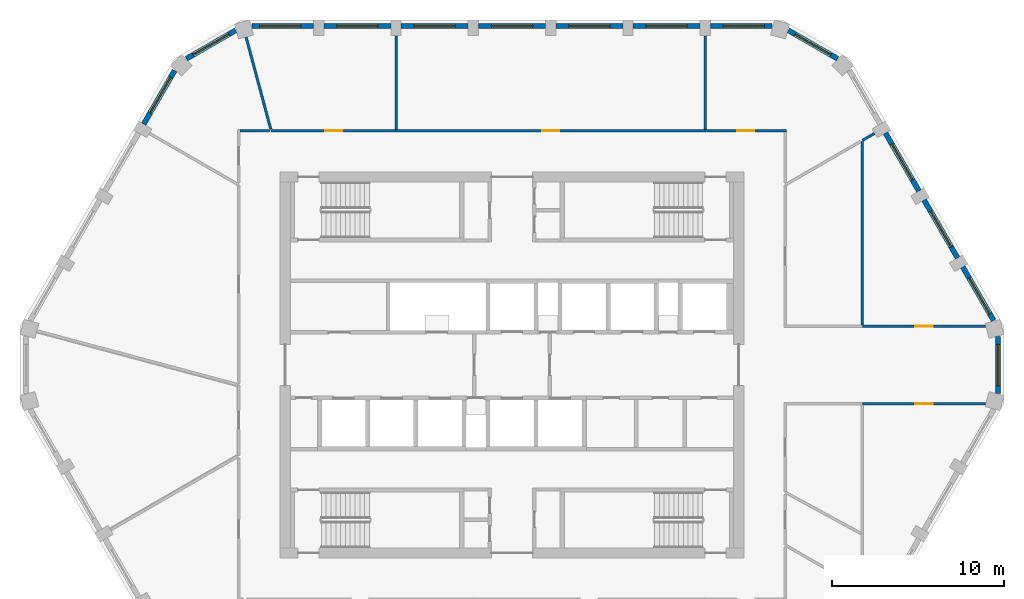
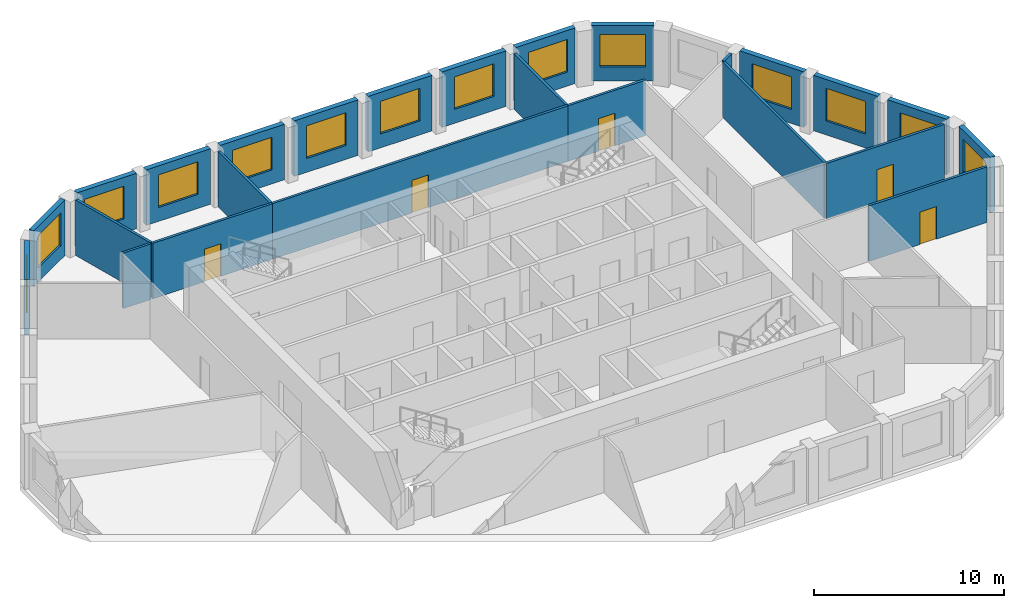
# One storey, part 6 of 9: 25 walls, 14 windows, 5 doors, 19 openings.
"""IFC4 building model written with IfcOpenShell, lengths in metres."""

from ifc_helpers import new_model, si_unit, direction, frame, frame_2d, origin, place, context, subcontext, project, spatial, rectangle, extrude, material, layer, layer_set, type_object, element, fill, save


model = new_model("IFC4")

# Units and contexts
model_context = context("Model", 3, precision=1e-05, world=origin(), true_north=direction((0.0, 1.0)))
body_context = subcontext(model_context, "Body", "Model", "MODEL_VIEW")
ifc_project = project(units=[si_unit("LENGTHUNIT", "METRE"), si_unit("AREAUNIT", "SQUARE_METRE"), si_unit("VOLUMEUNIT", "CUBIC_METRE"), si_unit("PLANEANGLEUNIT", "RADIAN"), si_unit("MASSUNIT", "GRAM", prefix="KILO")], contexts=[model_context])

# Site, building, storey
site_placement = place(None, origin())
site = spatial("IfcSite", under=ifc_project, at=site_placement, CompositionType="ELEMENT")
building_placement = place(site_placement, origin())
building = spatial("IfcBuilding", under=site, at=building_placement, Name="Dhurran Vertical Campus", CompositionType="ELEMENT")
storey_placement = place(building_placement, frame((0.0, 0.0, 294.300048828125)))
storey = spatial("IfcBuildingStorey", under=building, at=storey_placement, Name="L73", CompositionType="ELEMENT", Elevation=294.300048828125)

# Wall, opening, window
ifc_material_1 = material(Name="Precast concrete C50/60", Category="concrete")
ifc_layer_1 = layer(ifc_material_1, 0.300048828125)
ifc_layer_set_1 = layer_set([ifc_layer_1], Name="Precast concrete C50/60")
wall_type_1 = type_object("IfcWallType", Name="Precast spandrel wall 300", PredefinedType="SOLIDWALL", material=ifc_layer_set_1)
wall_1_placement = place(storey_placement, frame((28.297119140625, -1.64990234375, 0.0), z_axis=(0.0, 0.0, 1.0), x_axis=(0.0, 1.0, 0.0)))
wall_1 = element("IfcWall", 1, at=wall_1_placement, inside=storey, type_object=wall_type_1, Name="EW1 L73.12", PredefinedType="SOLIDWALL", context=body_context, shape_type="SweptSolid", body=[
    extrude(rectangle(XDim=3.2998046875, YDim=0.300048828125, at=frame_2d((1.64990234375, 0.0))), origin(), (0.0, 0.0, 1.0), 3.574951171875),
])
opening_1_placement = place(wall_1_placement, frame((0.449951171875, 0.0, 0.89990234375)))
opening_1 = element("IfcOpeningElement", 2, at=opening_1_placement, cuts=wall_1, Name="Opening WT1", PredefinedType="OPENING", context=body_context, shape_type="SweptSolid", body=[
    extrude(rectangle(XDim=2.39990234375, YDim=2.10009765625, at=frame_2d((1.199951171875, 1.050048828125))), frame((0.0, 0.159912109375, 0.0), z_axis=(0.0, -1.0, 0.0), x_axis=(1.0, 0.0, 0.0)), (0.0, 0.0, 1.0), 0.320068359375),
])
ifc_material_2 = material(Name="Aluminium frame with solar-control glass", Category="aluminium")
window_type = type_object("IfcWindowType", Name="Punched window 2400 x 2100", PartitioningType="SINGLE_PANEL", PredefinedType="WINDOW", material=ifc_material_2)
window_1_placement = place(opening_1_placement, origin())
window_1 = element("IfcWindow", 3, at=window_1_placement, inside=storey, type_object=window_type, Name="WT1 L73.12", OverallHeight=2.10009765625, OverallWidth=2.39990234375, PartitioningType="SINGLE_PANEL", PredefinedType="WINDOW", context=body_context, shape_type="SweptSolid", body=[
    extrude(rectangle(XDim=2.39990234375, YDim=2.10009765625, at=frame_2d((1.199951171875, 1.050048828125))), frame((0.0, 0.030029296875, 0.0), z_axis=(0.0, -1.0, 0.0), x_axis=(1.0, 0.0, 0.0)), (0.0, 0.0, 1.0), 0.06005859375),
])
fill(opening_1, window_1)

wall_2_placement = place(storey_placement, frame((28.0439453125, 2.5947265625, 0.0), z_axis=(0.0, 0.0, 1.0), x_axis=(-0.499969057507, 0.866043267704, 0.0)))
wall_2 = element("IfcWall", 4, at=wall_2_placement, inside=storey, type_object=wall_type_1, Name="EW1 L73.13", PredefinedType="SOLIDWALL", context=body_context, shape_type="SweptSolid", body=[
    extrude(rectangle(XDim=3.599365234375, YDim=0.300048828125, at=frame_2d((1.7998046875, 0.0))), origin(), (0.0, 0.0, 1.0), 3.574951171875),
])
opening_2_placement = place(wall_2_placement, frame((0.449951171875, 0.0, 0.89990234375)))
opening_2 = element("IfcOpeningElement", 5, at=opening_2_placement, cuts=wall_2, Name="Opening WT1", PredefinedType="OPENING", context=body_context, shape_type="SweptSolid", body=[
    extrude(rectangle(XDim=2.39990234375, YDim=2.10009765625, at=frame_2d((1.199951171875, 1.050048828125))), frame((0.0, 0.159912109375, 0.0), z_axis=(0.0, -1.0, 0.0), x_axis=(1.0, 0.0, 0.0)), (0.0, 0.0, 1.0), 0.320068359375),
])
window_2_placement = place(opening_2_placement, origin())
window_2 = element("IfcWindow", 6, at=window_2_placement, inside=storey, type_object=window_type, Name="WT1 L73.13", OverallHeight=2.10009765625, OverallWidth=2.39990234375, PartitioningType="SINGLE_PANEL", PredefinedType="WINDOW", context=body_context, shape_type="SweptSolid", body=[
    extrude(rectangle(XDim=2.39990234375, YDim=2.10009765625, at=frame_2d((1.199951171875, 1.050048828125))), frame((0.0, 0.030029296875, 0.0), z_axis=(0.0, -1.0, 0.0), x_axis=(1.0, 0.0, 0.0)), (0.0, 0.0, 1.0), 0.06005859375),
])
fill(opening_2, window_2)

wall_3_placement = place(storey_placement, frame((25.94384765625, 6.232421875, 0.0), z_axis=(0.0, 0.0, 1.0), x_axis=(-0.500011542666, 0.866018739521, 0.0)))
wall_3 = element("IfcWall", 7, at=wall_3_placement, inside=storey, type_object=wall_type_1, Name="EW1 L73.14", PredefinedType="SOLIDWALL", context=body_context, shape_type="SweptSolid", body=[
    extrude(rectangle(XDim=3.89892578125, YDim=0.300048828125, at=frame_2d((1.949462890625, 0.0))), origin(), (0.0, 0.0, 1.0), 3.574951171875),
])
opening_3_placement = place(wall_3_placement, frame((0.74951171875, 0.0, 0.89990234375)))
opening_3 = element("IfcOpeningElement", 8, at=opening_3_placement, cuts=wall_3, Name="Opening WT1", PredefinedType="OPENING", context=body_context, shape_type="SweptSolid", body=[
    extrude(rectangle(XDim=2.39990234375, YDim=2.10009765625, at=frame_2d((1.199951171875, 1.050048828125))), frame((0.0, 0.159912109375, 0.0), z_axis=(0.0, -1.0, 0.0), x_axis=(1.0, 0.0, 0.0)), (0.0, 0.0, 1.0), 0.320068359375),
])
window_3_placement = place(opening_3_placement, origin())
window_3 = element("IfcWindow", 9, at=window_3_placement, inside=storey, type_object=window_type, Name="WT1 L73.14", OverallHeight=2.10009765625, OverallWidth=2.39990234375, PartitioningType="SINGLE_PANEL", PredefinedType="WINDOW", context=body_context, shape_type="SweptSolid", body=[
    extrude(rectangle(XDim=2.39990234375, YDim=2.10009765625, at=frame_2d((1.199951171875, 1.050048828125))), frame((0.0, 0.030029296875, 0.0), z_axis=(0.0, -1.0, 0.0), x_axis=(1.0, 0.0, 0.0)), (0.0, 0.0, 1.0), 0.06005859375),
])
fill(opening_3, window_3)

wall_4_placement = place(storey_placement, frame((23.69384765625, 10.12939453125, 0.0), z_axis=(0.0, 0.0, 1.0), x_axis=(-0.499984428715, 0.866034393683, 0.0)))
wall_4 = element("IfcWall", 10, at=wall_4_placement, inside=storey, type_object=wall_type_1, Name="EW1 L73.15", PredefinedType="SOLIDWALL", context=body_context, shape_type="SweptSolid", body=[
    extrude(rectangle(XDim=3.89892578125, YDim=0.300048828125, at=frame_2d((1.949462890625, 0.0))), origin(), (0.0, 0.0, 1.0), 3.574951171875),
])
opening_4_placement = place(wall_4_placement, frame((0.74951171875, 0.0, 0.89990234375)))
opening_4 = element("IfcOpeningElement", 11, at=opening_4_placement, cuts=wall_4, Name="Opening WT1", PredefinedType="OPENING", context=body_context, shape_type="SweptSolid", body=[
    extrude(rectangle(XDim=2.39990234375, YDim=2.10009765625, at=frame_2d((1.199951171875, 1.050048828125))), frame((0.0, 0.159912109375, 0.0), z_axis=(0.0, -1.0, 0.0), x_axis=(1.0, 0.0, 0.0)), (0.0, 0.0, 1.0), 0.320068359375),
])
window_4_placement = place(opening_4_placement, origin())
window_4 = element("IfcWindow", 12, at=window_4_placement, inside=storey, type_object=window_type, Name="WT1 L73.15", OverallHeight=2.10009765625, OverallWidth=2.39990234375, PartitioningType="SINGLE_PANEL", PredefinedType="WINDOW", context=body_context, shape_type="SweptSolid", body=[
    extrude(rectangle(XDim=2.39990234375, YDim=2.10009765625, at=frame_2d((1.199951171875, 1.050048828125))), frame((0.0, 0.030029296875, 0.0), z_axis=(0.0, -1.0, 0.0), x_axis=(1.0, 0.0, 0.0)), (0.0, 0.0, 1.0), 0.06005859375),
])
fill(opening_4, window_4)

wall_5_placement = place(storey_placement, frame((18.952392578125, 17.83544921875, 0.0), z_axis=(0.0, 0.0, 1.0), x_axis=(-0.866021716278, 0.500006386895, 0.0)))
wall_5 = element("IfcWall", 13, at=wall_5_placement, inside=storey, type_object=wall_type_1, Name="EW1 L73.17", PredefinedType="SOLIDWALL", context=body_context, shape_type="SweptSolid", body=[
    extrude(rectangle(XDim=3.2998046875, YDim=0.300048828125, at=frame_2d((1.64990234375, 0.0))), origin(), (0.0, 0.0, 1.0), 3.574951171875),
])
opening_5_placement = place(wall_5_placement, frame((0.449951171875, 0.0, 0.89990234375)))
opening_5 = element("IfcOpeningElement", 14, at=opening_5_placement, cuts=wall_5, Name="Opening WT1", PredefinedType="OPENING", context=body_context, shape_type="SweptSolid", body=[
    extrude(rectangle(XDim=2.39990234375, YDim=2.10009765625, at=frame_2d((1.199951171875, 1.050048828125))), frame((0.0, 0.159912109375, 0.0), z_axis=(0.0, -1.0, 0.0), x_axis=(1.0, 0.0, 0.0)), (0.0, 0.0, 1.0), 0.320068359375),
])
window_5_placement = place(opening_5_placement, origin())
window_5 = element("IfcWindow", 15, at=window_5_placement, inside=storey, type_object=window_type, Name="WT1 L73.17", OverallHeight=2.10009765625, OverallWidth=2.39990234375, PartitioningType="SINGLE_PANEL", PredefinedType="WINDOW", context=body_context, shape_type="SweptSolid", body=[
    extrude(rectangle(XDim=2.39990234375, YDim=2.10009765625, at=frame_2d((1.199951171875, 1.050048828125))), frame((0.0, 0.030029296875, 0.0), z_axis=(0.0, -1.0, 0.0), x_axis=(1.0, 0.0, 0.0)), (0.0, 0.0, 1.0), 0.06005859375),
])
fill(opening_5, window_5)

wall_6_placement = place(storey_placement, frame((15.14990234375, 19.738525390625, 0.0), z_axis=(0.0, 0.0, 1.0), x_axis=(-1.0, 0.0, 0.0)))
wall_6 = element("IfcWall", 16, at=wall_6_placement, inside=storey, type_object=wall_type_1, Name="EW1 L73.18", PredefinedType="SOLIDWALL", context=body_context, shape_type="SweptSolid", body=[
    extrude(rectangle(XDim=3.599365234375, YDim=0.300048828125, at=frame_2d((1.7998046875, 0.0))), origin(), (0.0, 0.0, 1.0), 3.574951171875),
])
opening_6_placement = place(wall_6_placement, frame((0.449951171875, 0.0, 0.89990234375)))
opening_6 = element("IfcOpeningElement", 17, at=opening_6_placement, cuts=wall_6, Name="Opening WT1", PredefinedType="OPENING", context=body_context, shape_type="SweptSolid", body=[
    extrude(rectangle(XDim=2.39990234375, YDim=2.10009765625, at=frame_2d((1.199951171875, 1.050048828125))), frame((0.0, 0.159912109375, 0.0), z_axis=(0.0, -1.0, 0.0), x_axis=(1.0, 0.0, 0.0)), (0.0, 0.0, 1.0), 0.320068359375),
])
window_6_placement = place(opening_6_placement, origin())
window_6 = element("IfcWindow", 18, at=window_6_placement, inside=storey, type_object=window_type, Name="WT1 L73.18", OverallHeight=2.10009765625, OverallWidth=2.39990234375, PartitioningType="SINGLE_PANEL", PredefinedType="WINDOW", context=body_context, shape_type="SweptSolid", body=[
    extrude(rectangle(XDim=2.39990234375, YDim=2.10009765625, at=frame_2d((1.199951171875, 1.050048828125))), frame((0.0, 0.030029296875, 0.0), z_axis=(0.0, -1.0, 0.0), x_axis=(1.0, 0.0, 0.0)), (0.0, 0.0, 1.0), 0.06005859375),
])
fill(opening_6, window_6)

wall_7_placement = place(storey_placement, frame((10.949462890625, 19.738525390625, 0.0), z_axis=(0.0, 0.0, 1.0), x_axis=(-1.0, 0.0, 0.0)))
wall_7 = element("IfcWall", 19, at=wall_7_placement, inside=storey, type_object=wall_type_1, Name="EW1 L73.19", PredefinedType="SOLIDWALL", context=body_context, shape_type="SweptSolid", body=[
    extrude(rectangle(XDim=3.89892578125, YDim=0.300048828125, at=frame_2d((1.949462890625, 0.0))), origin(), (0.0, 0.0, 1.0), 3.574951171875),
])
opening_7_placement = place(wall_7_placement, frame((0.74951171875, 0.0, 0.89990234375)))
opening_7 = element("IfcOpeningElement", 20, at=opening_7_placement, cuts=wall_7, Name="Opening WT1", PredefinedType="OPENING", context=body_context, shape_type="SweptSolid", body=[
    extrude(rectangle(XDim=2.39990234375, YDim=2.10009765625, at=frame_2d((1.199951171875, 1.050048828125))), frame((0.0, 0.159912109375, 0.0), z_axis=(0.0, -1.0, 0.0), x_axis=(1.0, 0.0, 0.0)), (0.0, 0.0, 1.0), 0.320068359375),
])
window_7_placement = place(opening_7_placement, origin())
window_7 = element("IfcWindow", 21, at=window_7_placement, inside=storey, type_object=window_type, Name="WT1 L73.19", OverallHeight=2.10009765625, OverallWidth=2.39990234375, PartitioningType="SINGLE_PANEL", PredefinedType="WINDOW", context=body_context, shape_type="SweptSolid", body=[
    extrude(rectangle(XDim=2.39990234375, YDim=2.10009765625, at=frame_2d((1.199951171875, 1.050048828125))), frame((0.0, 0.030029296875, 0.0), z_axis=(0.0, -1.0, 0.0), x_axis=(1.0, 0.0, 0.0)), (0.0, 0.0, 1.0), 0.06005859375),
])
fill(opening_7, window_7)

wall_8_placement = place(storey_placement, frame((6.449462890625, 19.738525390625, 0.0), z_axis=(0.0, 0.0, 1.0), x_axis=(-1.0, 0.0, 0.0)))
wall_8 = element("IfcWall", 22, at=wall_8_placement, inside=storey, type_object=wall_type_1, Name="EW1 L73.20", PredefinedType="SOLIDWALL", context=body_context, shape_type="SweptSolid", body=[
    extrude(rectangle(XDim=3.89892578125, YDim=0.300048828125, at=frame_2d((1.949462890625, 0.0))), origin(), (0.0, 0.0, 1.0), 3.574951171875),
])
opening_8_placement = place(wall_8_placement, frame((0.74951171875, 0.0, 0.89990234375)))
opening_8 = element("IfcOpeningElement", 23, at=opening_8_placement, cuts=wall_8, Name="Opening WT1", PredefinedType="OPENING", context=body_context, shape_type="SweptSolid", body=[
    extrude(rectangle(XDim=2.39990234375, YDim=2.10009765625, at=frame_2d((1.199951171875, 1.050048828125))), frame((0.0, 0.159912109375, 0.0), z_axis=(0.0, -1.0, 0.0), x_axis=(1.0, 0.0, 0.0)), (0.0, 0.0, 1.0), 0.320068359375),
])
window_8_placement = place(opening_8_placement, origin())
window_8 = element("IfcWindow", 24, at=window_8_placement, inside=storey, type_object=window_type, Name="WT1 L73.20", OverallHeight=2.10009765625, OverallWidth=2.39990234375, PartitioningType="SINGLE_PANEL", PredefinedType="WINDOW", context=body_context, shape_type="SweptSolid", body=[
    extrude(rectangle(XDim=2.39990234375, YDim=2.10009765625, at=frame_2d((1.199951171875, 1.050048828125))), frame((0.0, 0.030029296875, 0.0), z_axis=(0.0, -1.0, 0.0), x_axis=(1.0, 0.0, 0.0)), (0.0, 0.0, 1.0), 0.06005859375),
])
fill(opening_8, window_8)

wall_9_placement = place(storey_placement, frame((1.949462890625, 19.738525390625, 0.0), z_axis=(0.0, 0.0, 1.0), x_axis=(-1.0, 0.0, 0.0)))
wall_9 = element("IfcWall", 25, at=wall_9_placement, inside=storey, type_object=wall_type_1, Name="EW1 L73.21", PredefinedType="SOLIDWALL", context=body_context, shape_type="SweptSolid", body=[
    extrude(rectangle(XDim=3.89892578125, YDim=0.300048828125, at=frame_2d((1.949462890625, 0.0))), origin(), (0.0, 0.0, 1.0), 3.574951171875),
])
opening_9_placement = place(wall_9_placement, frame((0.74951171875, 0.0, 0.89990234375)))
opening_9 = element("IfcOpeningElement", 26, at=opening_9_placement, cuts=wall_9, Name="Opening WT1", PredefinedType="OPENING", context=body_context, shape_type="SweptSolid", body=[
    extrude(rectangle(XDim=2.39990234375, YDim=2.10009765625, at=frame_2d((1.199951171875, 1.050048828125))), frame((0.0, 0.159912109375, 0.0), z_axis=(0.0, -1.0, 0.0), x_axis=(1.0, 0.0, 0.0)), (0.0, 0.0, 1.0), 0.320068359375),
])
window_9_placement = place(opening_9_placement, origin())
window_9 = element("IfcWindow", 27, at=window_9_placement, inside=storey, type_object=window_type, Name="WT1 L73.21", OverallHeight=2.10009765625, OverallWidth=2.39990234375, PartitioningType="SINGLE_PANEL", PredefinedType="WINDOW", context=body_context, shape_type="SweptSolid", body=[
    extrude(rectangle(XDim=2.39990234375, YDim=2.10009765625, at=frame_2d((1.199951171875, 1.050048828125))), frame((0.0, 0.030029296875, 0.0), z_axis=(0.0, -1.0, 0.0), x_axis=(1.0, 0.0, 0.0)), (0.0, 0.0, 1.0), 0.06005859375),
])
fill(opening_9, window_9)

wall_10_placement = place(storey_placement, frame((-2.550537109375, 19.738525390625, 0.0), z_axis=(0.0, 0.0, 1.0), x_axis=(-1.0, 0.0, 0.0)))
wall_10 = element("IfcWall", 28, at=wall_10_placement, inside=storey, type_object=wall_type_1, Name="EW1 L73.22", PredefinedType="SOLIDWALL", context=body_context, shape_type="SweptSolid", body=[
    extrude(rectangle(XDim=3.89892578125, YDim=0.300048828125, at=frame_2d((1.949462890625, 0.0))), origin(), (0.0, 0.0, 1.0), 3.574951171875),
])
opening_10_placement = place(wall_10_placement, frame((0.74951171875, 0.0, 0.89990234375)))
opening_10 = element("IfcOpeningElement", 29, at=opening_10_placement, cuts=wall_10, Name="Opening WT1", PredefinedType="OPENING", context=body_context, shape_type="SweptSolid", body=[
    extrude(rectangle(XDim=2.39990234375, YDim=2.10009765625, at=frame_2d((1.199951171875, 1.050048828125))), frame((0.0, 0.159912109375, 0.0), z_axis=(0.0, -1.0, 0.0), x_axis=(1.0, 0.0, 0.0)), (0.0, 0.0, 1.0), 0.320068359375),
])
window_10_placement = place(opening_10_placement, origin())
window_10 = element("IfcWindow", 30, at=window_10_placement, inside=storey, type_object=window_type, Name="WT1 L73.22", OverallHeight=2.10009765625, OverallWidth=2.39990234375, PartitioningType="SINGLE_PANEL", PredefinedType="WINDOW", context=body_context, shape_type="SweptSolid", body=[
    extrude(rectangle(XDim=2.39990234375, YDim=2.10009765625, at=frame_2d((1.199951171875, 1.050048828125))), frame((0.0, 0.030029296875, 0.0), z_axis=(0.0, -1.0, 0.0), x_axis=(1.0, 0.0, 0.0)), (0.0, 0.0, 1.0), 0.06005859375),
])
fill(opening_10, window_10)

wall_11_placement = place(storey_placement, frame((-7.050537109375, 19.738525390625, 0.0), z_axis=(0.0, 0.0, 1.0), x_axis=(-1.0, 0.0, 0.0)))
wall_11 = element("IfcWall", 31, at=wall_11_placement, inside=storey, type_object=wall_type_1, Name="EW1 L73.23", PredefinedType="SOLIDWALL", context=body_context, shape_type="SweptSolid", body=[
    extrude(rectangle(XDim=3.89892578125, YDim=0.300048828125, at=frame_2d((1.949462890625, 0.0))), origin(), (0.0, 0.0, 1.0), 3.574951171875),
])
opening_11_placement = place(wall_11_placement, frame((0.74951171875, 0.0, 0.89990234375)))
opening_11 = element("IfcOpeningElement", 32, at=opening_11_placement, cuts=wall_11, Name="Opening WT1", PredefinedType="OPENING", context=body_context, shape_type="SweptSolid", body=[
    extrude(rectangle(XDim=2.39990234375, YDim=2.10009765625, at=frame_2d((1.199951171875, 1.050048828125))), frame((0.0, 0.159912109375, 0.0), z_axis=(0.0, -1.0, 0.0), x_axis=(1.0, 0.0, 0.0)), (0.0, 0.0, 1.0), 0.320068359375),
])
window_11_placement = place(opening_11_placement, origin())
window_11 = element("IfcWindow", 33, at=window_11_placement, inside=storey, type_object=window_type, Name="WT1 L73.23", OverallHeight=2.10009765625, OverallWidth=2.39990234375, PartitioningType="SINGLE_PANEL", PredefinedType="WINDOW", context=body_context, shape_type="SweptSolid", body=[
    extrude(rectangle(XDim=2.39990234375, YDim=2.10009765625, at=frame_2d((1.199951171875, 1.050048828125))), frame((0.0, 0.030029296875, 0.0), z_axis=(0.0, -1.0, 0.0), x_axis=(1.0, 0.0, 0.0)), (0.0, 0.0, 1.0), 0.06005859375),
])
fill(opening_11, window_11)

wall_12_placement = place(storey_placement, frame((-11.550537109375, 19.738525390625, 0.0), z_axis=(0.0, 0.0, 1.0), x_axis=(-1.0, 0.0, 0.0)))
wall_12 = element("IfcWall", 34, at=wall_12_placement, inside=storey, type_object=wall_type_1, Name="EW1 L73.24", PredefinedType="SOLIDWALL", context=body_context, shape_type="SweptSolid", body=[
    extrude(rectangle(XDim=3.599365234375, YDim=0.300048828125, at=frame_2d((1.7998046875, 0.0))), origin(), (0.0, 0.0, 1.0), 3.574951171875),
])
opening_12_placement = place(wall_12_placement, frame((0.74951171875, 0.0, 0.89990234375)))
opening_12 = element("IfcOpeningElement", 35, at=opening_12_placement, cuts=wall_12, Name="Opening WT1", PredefinedType="OPENING", context=body_context, shape_type="SweptSolid", body=[
    extrude(rectangle(XDim=2.39990234375, YDim=2.10009765625, at=frame_2d((1.199951171875, 1.050048828125))), frame((0.0, 0.159912109375, 0.0), z_axis=(0.0, -1.0, 0.0), x_axis=(1.0, 0.0, 0.0)), (0.0, 0.0, 1.0), 0.320068359375),
])
window_12_placement = place(opening_12_placement, origin())
window_12 = element("IfcWindow", 36, at=window_12_placement, inside=storey, type_object=window_type, Name="WT1 L73.24", OverallHeight=2.10009765625, OverallWidth=2.39990234375, PartitioningType="SINGLE_PANEL", PredefinedType="WINDOW", context=body_context, shape_type="SweptSolid", body=[
    extrude(rectangle(XDim=2.39990234375, YDim=2.10009765625, at=frame_2d((1.199951171875, 1.050048828125))), frame((0.0, 0.030029296875, 0.0), z_axis=(0.0, -1.0, 0.0), x_axis=(1.0, 0.0, 0.0)), (0.0, 0.0, 1.0), 0.06005859375),
])
fill(opening_12, window_12)

wall_13_placement = place(storey_placement, frame((-16.0947265625, 19.4853515625, 0.0), z_axis=(0.0, 0.0, 1.0), x_axis=(-0.866021716278, -0.500006386895, 0.0)))
wall_13 = element("IfcWall", 37, at=wall_13_placement, inside=storey, type_object=wall_type_1, Name="EW1 L73.25", PredefinedType="SOLIDWALL", context=body_context, shape_type="SweptSolid", body=[
    extrude(rectangle(XDim=3.2998046875, YDim=0.300048828125, at=frame_2d((1.64990234375, 0.0))), origin(), (0.0, 0.0, 1.0), 3.574951171875),
])
opening_13_placement = place(wall_13_placement, frame((0.449951171875, 0.0, 0.89990234375)))
opening_13 = element("IfcOpeningElement", 38, at=opening_13_placement, cuts=wall_13, Name="Opening WT1", PredefinedType="OPENING", context=body_context, shape_type="SweptSolid", body=[
    extrude(rectangle(XDim=2.39990234375, YDim=2.10009765625, at=frame_2d((1.199951171875, 1.050048828125))), frame((0.0, 0.159912109375, 0.0), z_axis=(0.0, -1.0, 0.0), x_axis=(1.0, 0.0, 0.0)), (0.0, 0.0, 1.0), 0.320068359375),
])
window_13_placement = place(opening_13_placement, origin())
window_13 = element("IfcWindow", 39, at=window_13_placement, inside=storey, type_object=window_type, Name="WT1 L73.25", OverallHeight=2.10009765625, OverallWidth=2.39990234375, PartitioningType="SINGLE_PANEL", PredefinedType="WINDOW", context=body_context, shape_type="SweptSolid", body=[
    extrude(rectangle(XDim=2.39990234375, YDim=2.10009765625, at=frame_2d((1.199951171875, 1.050048828125))), frame((0.0, 0.030029296875, 0.0), z_axis=(0.0, -1.0, 0.0), x_axis=(1.0, 0.0, 0.0)), (0.0, 0.0, 1.0), 0.06005859375),
])
fill(opening_13, window_13)

wall_14_placement = place(storey_placement, frame((-19.64404296875, 17.143798828125, 0.0), z_axis=(0.0, 0.0, 1.0), x_axis=(-0.50001992892, -0.866013897511, 0.0)))
wall_14 = element("IfcWall", 40, at=wall_14_placement, inside=storey, type_object=wall_type_1, Name="EW1 L73.26", PredefinedType="SOLIDWALL", context=body_context, shape_type="SweptSolid", body=[
    extrude(rectangle(XDim=3.599365234375, YDim=0.300048828125, at=frame_2d((1.7998046875, 0.0))), origin(), (0.0, 0.0, 1.0), 3.574951171875),
])
opening_14_placement = place(wall_14_placement, frame((0.449951171875, 0.0, 0.89990234375)))
opening_14 = element("IfcOpeningElement", 41, at=opening_14_placement, cuts=wall_14, Name="Opening WT1", PredefinedType="OPENING", context=body_context, shape_type="SweptSolid", body=[
    extrude(rectangle(XDim=2.39990234375, YDim=2.10009765625, at=frame_2d((1.199951171875, 1.050048828125))), frame((0.0, 0.159912109375, 0.0), z_axis=(0.0, -1.0, 0.0), x_axis=(1.0, 0.0, 0.0)), (0.0, 0.0, 1.0), 0.320068359375),
])
window_14_placement = place(opening_14_placement, origin())
window_14 = element("IfcWindow", 42, at=window_14_placement, inside=storey, type_object=window_type, Name="WT1 L73.26", OverallHeight=2.10009765625, OverallWidth=2.39990234375, PartitioningType="SINGLE_PANEL", PredefinedType="WINDOW", context=body_context, shape_type="SweptSolid", body=[
    extrude(rectangle(XDim=2.39990234375, YDim=2.10009765625, at=frame_2d((1.199951171875, 1.050048828125))), frame((0.0, 0.030029296875, 0.0), z_axis=(0.0, -1.0, 0.0), x_axis=(1.0, 0.0, 0.0)), (0.0, 0.0, 1.0), 0.06005859375),
])
fill(opening_14, window_14)

# Wall
ifc_material_3 = material(Name="Gypsum board corridor wall on steel studs", Category="steel")
ifc_layer_2 = layer(ifc_material_3, 0.14990234375)
ifc_layer_set_2 = layer_set([ifc_layer_2], Name="Gypsum board corridor wall on steel studs")
wall_type_2 = type_object("IfcWallType", Name="fl-CW-150 corridor wall", PredefinedType="PARTITIONING", material=ifc_layer_set_2)
wall_15_placement = place(storey_placement, frame((-14.1201171875, 13.64990234375, 0.0), z_axis=(0.0, 0.0, 1.0), x_axis=(-1.0, 0.0, 0.0)))
element("IfcWall", 43, at=wall_15_placement, inside=storey, type_object=wall_type_2, Name="Partition 73-10", PredefinedType="PARTITIONING", context=body_context, shape_type="SweptSolid", body=[
    extrude(rectangle(XDim=1.704833984375, YDim=0.14990234375, at=frame_2d((0.8525390625, 0.0))), origin(), (0.0, 0.0, 1.0), 3.574951171875),
])

# Wall, opening, door
wall_16_placement = place(storey_placement, frame((-6.75, 13.64990234375, 0.0), z_axis=(0.0, 0.0, 1.0), x_axis=(-1.0, 0.0, 0.0)))
wall_16 = element("IfcWall", 44, at=wall_16_placement, inside=storey, type_object=wall_type_2, Name="Partition 73-13", PredefinedType="PARTITIONING", context=body_context, shape_type="SweptSolid", body=[
    extrude(rectangle(XDim=7.27490234375, YDim=0.14990234375, at=frame_2d((3.637451171875, 0.0))), origin(), (0.0, 0.0, 1.0), 3.574951171875),
])
opening_15_placement = place(wall_16_placement, frame((3.137451171875, 0.0, 0.0)))
opening_15 = element("IfcOpeningElement", 45, at=opening_15_placement, cuts=wall_16, Name="Opening T21.05", PredefinedType="OPENING", context=body_context, shape_type="SweptSolid", body=[
    extrude(rectangle(XDim=1.0, YDim=2.10009765625, at=frame_2d((0.5, 1.050048828125))), frame((0.0, 0.0849609375, 0.0), z_axis=(0.0, -1.0, 0.0), x_axis=(1.0, 0.0, 0.0)), (0.0, 0.0, 1.0), 0.169921875),
])
ifc_material_4 = material(Name="Solid-core timber door set, fire-rated", Category="wood")
door_type = type_object("IfcDoorType", Name="fl-D-1000x2100", OperationType="SINGLE_SWING_LEFT", PredefinedType="DOOR", material=ifc_material_4)
door_1_placement = place(opening_15_placement, origin())
door_1 = element("IfcDoor", 46, at=door_1_placement, inside=storey, type_object=door_type, Name="Door 73.05", OperationType="SINGLE_SWING_RIGHT", OverallHeight=2.10009765625, OverallWidth=1.0, PredefinedType="DOOR", context=body_context, shape_type="SweptSolid", body=[
    extrude(rectangle(XDim=1.0, YDim=2.10009765625, at=frame_2d((0.5, 1.050048828125))), frame((0.0, 0.02490234375, 0.0), z_axis=(0.0, -1.0, 0.0), x_axis=(1.0, 0.0, 0.0)), (0.0, 0.0, 1.0), 0.050048828125),
])
fill(opening_15, door_1)

wall_17_placement = place(storey_placement, frame((11.25, 13.64990234375, 0.0), z_axis=(0.0, 0.0, 1.0), x_axis=(-1.0, 0.0, 0.0)))
wall_17 = element("IfcWall", 47, at=wall_17_placement, inside=storey, type_object=wall_type_2, Name="Partition 73-15", PredefinedType="PARTITIONING", context=body_context, shape_type="SweptSolid", body=[
    extrude(rectangle(XDim=18.0, YDim=0.14990234375, at=frame_2d((9.0, 0.0))), origin(), (0.0, 0.0, 1.0), 3.574951171875),
])
opening_16_placement = place(wall_17_placement, frame((8.5, 0.0, 0.0)))
opening_16 = element("IfcOpeningElement", 48, at=opening_16_placement, cuts=wall_17, Name="Opening T21.07", PredefinedType="OPENING", context=body_context, shape_type="SweptSolid", body=[
    extrude(rectangle(XDim=1.0, YDim=2.10009765625, at=frame_2d((0.5, 1.050048828125))), frame((0.0, 0.0849609375, 0.0), z_axis=(0.0, -1.0, 0.0), x_axis=(1.0, 0.0, 0.0)), (0.0, 0.0, 1.0), 0.169921875),
])
door_2_placement = place(opening_16_placement, origin())
door_2 = element("IfcDoor", 49, at=door_2_placement, inside=storey, type_object=door_type, Name="Door 73.07", OperationType="SINGLE_SWING_RIGHT", OverallHeight=2.10009765625, OverallWidth=1.0, PredefinedType="DOOR", context=body_context, shape_type="SweptSolid", body=[
    extrude(rectangle(XDim=1.0, YDim=2.10009765625, at=frame_2d((0.5, 1.050048828125))), frame((0.0, 0.02490234375, 0.0), z_axis=(0.0, -1.0, 0.0), x_axis=(1.0, 0.0, 0.0)), (0.0, 0.0, 1.0), 0.050048828125),
])
fill(opening_16, door_2)

wall_18_placement = place(storey_placement, frame((15.97509765625, 13.64990234375, 0.0), z_axis=(0.0, 0.0, 1.0), x_axis=(-1.0, 0.0, 0.0)))
wall_18 = element("IfcWall", 50, at=wall_18_placement, inside=storey, type_object=wall_type_2, Name="Partition 73-21", PredefinedType="PARTITIONING", context=body_context, shape_type="SweptSolid", body=[
    extrude(rectangle(XDim=4.72509765625, YDim=0.14990234375, at=frame_2d((2.362548828125, 0.0))), origin(), (0.0, 0.0, 1.0), 3.574951171875),
])
opening_17_placement = place(wall_18_placement, frame((1.862548828125, 0.0, 0.0)))
opening_17 = element("IfcOpeningElement", 51, at=opening_17_placement, cuts=wall_18, Name="Opening T21.10", PredefinedType="OPENING", context=body_context, shape_type="SweptSolid", body=[
    extrude(rectangle(XDim=1.0, YDim=2.10009765625, at=frame_2d((0.5, 1.050048828125))), frame((0.0, 0.0849609375, 0.0), z_axis=(0.0, -1.0, 0.0), x_axis=(1.0, 0.0, 0.0)), (0.0, 0.0, 1.0), 0.169921875),
])
door_3_placement = place(opening_17_placement, origin())
door_3 = element("IfcDoor", 52, at=door_3_placement, inside=storey, type_object=door_type, Name="Door 73.10", OperationType="SINGLE_SWING_RIGHT", OverallHeight=2.10009765625, OverallWidth=1.0, PredefinedType="DOOR", context=body_context, shape_type="SweptSolid", body=[
    extrude(rectangle(XDim=1.0, YDim=2.10009765625, at=frame_2d((0.5, 1.050048828125))), frame((0.0, 0.02490234375, 0.0), z_axis=(0.0, -1.0, 0.0), x_axis=(1.0, 0.0, 0.0)), (0.0, 0.0, 1.0), 0.050048828125),
])
fill(opening_17, door_3)

wall_19_placement = place(storey_placement, frame((27.56982421875, -2.25, 0.0), z_axis=(0.0, 0.0, 1.0), x_axis=(-1.0, 0.0, 0.0)))
wall_19 = element("IfcWall", 53, at=wall_19_placement, inside=storey, type_object=wall_type_2, Name="Partition 73-35", PredefinedType="PARTITIONING", context=body_context, shape_type="SweptSolid", body=[
    extrude(rectangle(XDim=7.169921875, YDim=0.14990234375, at=frame_2d((3.5849609375, 0.0))), origin(), (0.0, 0.0, 1.0), 3.574951171875),
])
opening_18_placement = place(wall_19_placement, frame((3.0849609375, 0.0, 0.0)))
opening_18 = element("IfcOpeningElement", 54, at=opening_18_placement, cuts=wall_19, Name="Opening T21.14", PredefinedType="OPENING", context=body_context, shape_type="SweptSolid", body=[
    extrude(rectangle(XDim=1.0, YDim=2.10009765625, at=frame_2d((0.5, 1.050048828125))), frame((0.0, 0.0849609375, 0.0), z_axis=(0.0, -1.0, 0.0), x_axis=(1.0, 0.0, 0.0)), (0.0, 0.0, 1.0), 0.169921875),
])
door_4_placement = place(opening_18_placement, origin())
door_4 = element("IfcDoor", 55, at=door_4_placement, inside=storey, type_object=door_type, Name="Door 73.14", OperationType="SINGLE_SWING_LEFT", OverallHeight=2.10009765625, OverallWidth=1.0, PredefinedType="DOOR", context=body_context, shape_type="SweptSolid", body=[
    extrude(rectangle(XDim=1.0, YDim=2.10009765625, at=frame_2d((0.5, 1.050048828125))), frame((0.0, 0.02490234375, 0.0), z_axis=(0.0, -1.0, 0.0), x_axis=(1.0, 0.0, 0.0)), (0.0, 0.0, 1.0), 0.050048828125),
])
fill(opening_18, door_4)

wall_20_placement = place(storey_placement, frame((20.39990234375, 2.25, 0.0), z_axis=(0.0, 0.0, 1.0), x_axis=(1.0, 0.0, 0.0)))
wall_20 = element("IfcWall", 56, at=wall_20_placement, inside=storey, type_object=wall_type_2, Name="Partition 73-37", PredefinedType="PARTITIONING", context=body_context, shape_type="SweptSolid", body=[
    extrude(rectangle(XDim=7.169921875, YDim=0.14990234375, at=frame_2d((3.5849609375, 0.0))), origin(), (0.0, 0.0, 1.0), 3.574951171875),
])
opening_19_placement = place(wall_20_placement, frame((3.0849609375, 0.0, 0.0)))
opening_19 = element("IfcOpeningElement", 57, at=opening_19_placement, cuts=wall_20, Name="Opening T21.15", PredefinedType="OPENING", context=body_context, shape_type="SweptSolid", body=[
    extrude(rectangle(XDim=1.0, YDim=2.10009765625, at=frame_2d((0.5, 1.050048828125))), frame((0.0, 0.0849609375, 0.0), z_axis=(0.0, -1.0, 0.0), x_axis=(1.0, 0.0, 0.0)), (0.0, 0.0, 1.0), 0.169921875),
])
door_5_placement = place(opening_19_placement, origin())
door_5 = element("IfcDoor", 58, at=door_5_placement, inside=storey, type_object=door_type, Name="Door 73.15", OperationType="SINGLE_SWING_RIGHT", OverallHeight=2.10009765625, OverallWidth=1.0, PredefinedType="DOOR", context=body_context, shape_type="SweptSolid", body=[
    extrude(rectangle(XDim=1.0, YDim=2.10009765625, at=frame_2d((0.5, 1.050048828125))), frame((0.0, 0.02490234375, 0.0), z_axis=(0.0, -1.0, 0.0), x_axis=(1.0, 0.0, 0.0)), (0.0, 0.0, 1.0), 0.050048828125),
])
fill(opening_19, door_5)

# Walls
ifc_material_5 = material(Name="Gypsum board partition on steel studs", Category="steel")
ifc_layer_3 = layer(ifc_material_5, 0.14990234375)
ifc_layer_set_3 = layer_set([ifc_layer_3], Name="Gypsum board partition on steel studs")
wall_type_3 = type_object("IfcWallType", Name="fl-PW-150 fixed partition", PredefinedType="PARTITIONING", material=ifc_layer_set_3)
wall_21_placement = place(storey_placement, frame((-15.481201171875, 19.083251953125, 0.0), z_axis=(0.0, 0.0, 1.0), x_axis=(0.25887533963, -0.965910740458, 0.0)))
element("IfcWall", 59, at=wall_21_placement, inside=storey, type_object=wall_type_3, Name="Partition 73-11", PredefinedType="PARTITIONING", context=body_context, shape_type="SweptSolid", body=[
    extrude(rectangle(XDim=5.550048828125, YDim=0.14990234375, at=frame_2d((2.77490234375, 0.0))), origin(), (0.0, 0.0, 1.0), 3.574951171875),
])
for number, where, z_axis, x_axis, name in (
    (60, (-6.75, 19.16845703125, 0.0), (0.0, 0.0, 1.0), (0.0, -1.0, 0.0), "Partition 73-14"),
    (61, (11.25, 19.16845703125, 0.0), (0.0, 0.0, 1.0), (0.0, -1.0, 0.0), "Partition 73-20"),
):
    element("IfcWall", number, at=place(storey_placement, frame(where, z_axis=z_axis, x_axis=x_axis)), inside=storey, type_object=wall_type_3, Name=name, PredefinedType="PARTITIONING", context=body_context, shape_type="SweptSolid", body=[
        extrude(rectangle(XDim=5.443359375, YDim=0.14990234375, at=frame_2d((2.7216796875, 0.0))), origin(), (0.0, 0.0, 1.0), 3.574951171875),
    ])
wall_22_placement = place(storey_placement, frame((20.39990234375, 13.001953125, 0.0), z_axis=(0.0, 0.0, 1.0), x_axis=(0.0, -1.0, 0.0)))
element("IfcWall", 62, at=wall_22_placement, inside=storey, type_object=wall_type_3, Name="Partition 73-36", PredefinedType="PARTITIONING", context=body_context, shape_type="SweptSolid", body=[
    extrude(rectangle(XDim=10.677001953125, YDim=0.14990234375, at=frame_2d((5.33837890625, 0.0))), origin(), (0.0, 0.0, 1.0), 3.574951171875),
])
wall_23_placement = place(storey_placement, frame((21.100341796875, 13.481201171875, 0.0), z_axis=(0.0, 0.0, 1.0), x_axis=(-0.866080027667, -0.499905376722, 0.0)))
element("IfcWall", 63, at=wall_23_placement, inside=storey, type_object=wall_type_3, Name="Partition 73-38", PredefinedType="PARTITIONING", context=body_context, shape_type="SweptSolid", body=[
    extrude(rectangle(XDim=0.808837890625, YDim=0.14990234375, at=frame_2d((0.404296875, 0.0))), origin(), (0.0, 0.0, 1.0), 3.574951171875),
])

save(model, "model.ifc")
